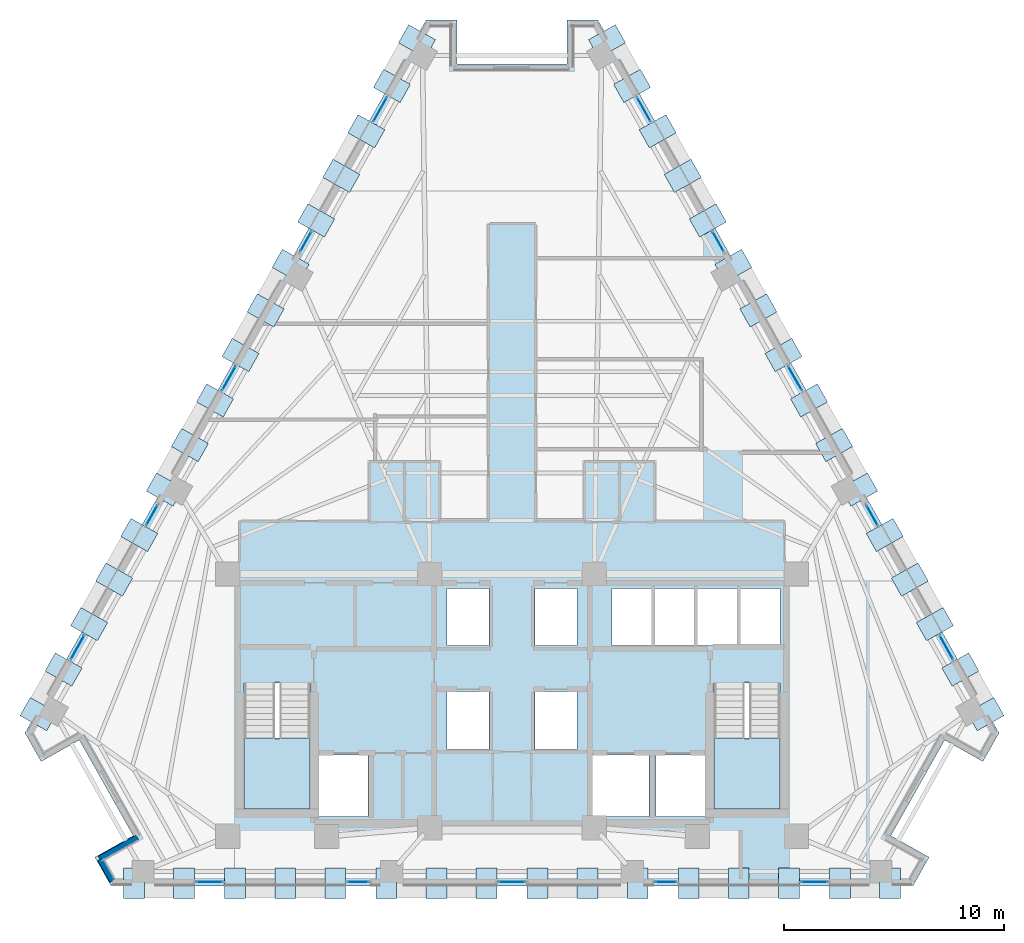
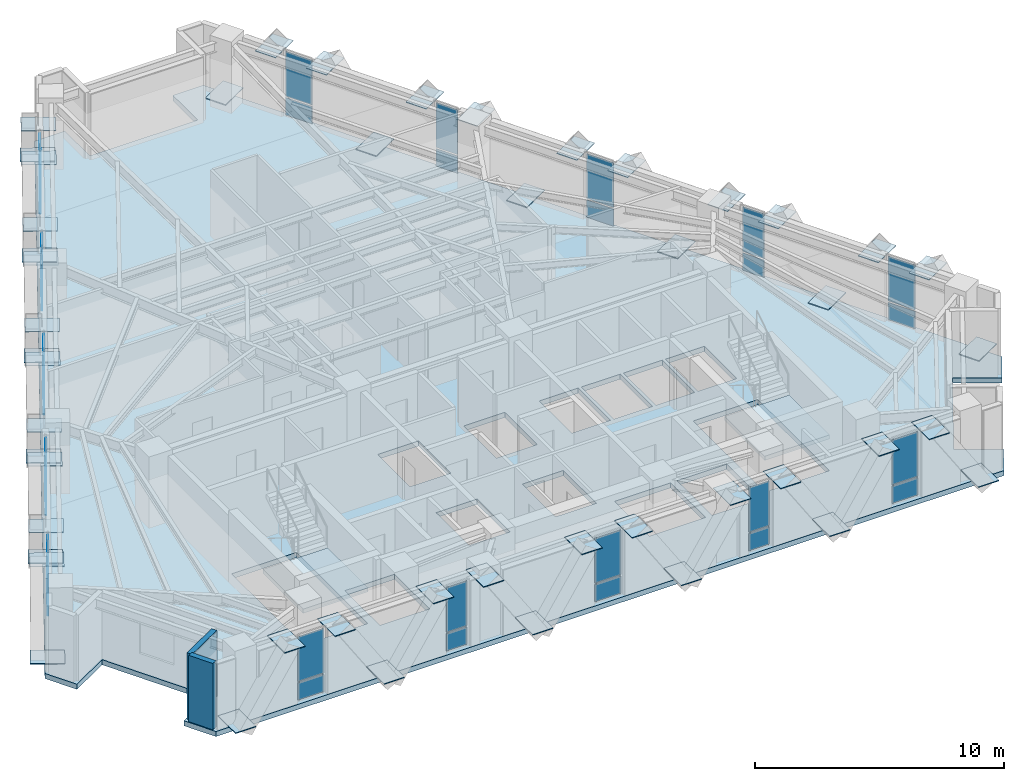
# One storey, part 6 of 14: 78 plates, 3 slabs, 2 walls, 17 elements without a shape of their own.
"""IFC4 building model written with IfcOpenShell, lengths in metres."""

from ifc_helpers import new_model, si_unit, direction, frame, frame_2d, origin, origin_2d, place, context, subcontext, project, spatial, polyline, rectangle, outline, extrude, material, layer, layer_set, type_object, element, aggregate, save


model = new_model("IFC4")

# Units and contexts
model_context = context("Model", 3, precision=1e-05, world=origin(), true_north=direction((0.0, 1.0)))
body_context = subcontext(model_context, "Body", "Model", "MODEL_VIEW")
ifc_project = project(units=[si_unit("LENGTHUNIT", "METRE"), si_unit("AREAUNIT", "SQUARE_METRE"), si_unit("VOLUMEUNIT", "CUBIC_METRE"), si_unit("PLANEANGLEUNIT", "RADIAN"), si_unit("MASSUNIT", "GRAM", prefix="KILO")], contexts=[model_context])

# Site, building, storey
site_placement = place(None, origin())
site = spatial("IfcSite", under=ifc_project, at=site_placement, CompositionType="ELEMENT")
building_placement = place(site_placement, origin())
building = spatial("IfcBuilding", under=site, at=building_placement, Name="Quenlor Broadcast Tower", CompositionType="ELEMENT")
storey_placement = place(building_placement, frame((0.0, 0.0, 140.5)))
storey = spatial("IfcBuildingStorey", under=building, at=storey_placement, Name="L38", CompositionType="ELEMENT", Elevation=140.5)

# Curtain wall, plates
ifc_material_1 = material(Name="Architectural Terracotta and Low-E Glazing", Category="masonry")
curtain_wall_type = type_object("IfcCurtainWallType", Name="Unitised Terracotta Curtain Wall System Z3", PredefinedType="NOTDEFINED", material=ifc_material_1)
curtain_wall_1_placement = place(storey_placement, origin())
curtain_wall_1 = element("IfcCurtainWall", 1, at=curtain_wall_1_placement, inside=storey, type_object=curtain_wall_type, Name="L38 Curtain Wall CW3 (L38-SA-G1)", PredefinedType="NOTDEFINED")
ifc_material_2 = material(Name="Double Glazed Low-E Solar Glass", Category="glass")
ifc_layer_1 = layer(ifc_material_2, 0.028076171875)
ifc_layer_set_1 = layer_set([ifc_layer_1], Name="CW3 Double Glazed Vision Panel 28")
plate_type_1 = type_object("IfcPlateType", Name="CW3 Double Glazed Vision Panel 28", PredefinedType="CURTAIN_PANEL", material=ifc_layer_set_1)
plate_1_placement = place(storey_placement, frame((13.77587890625, -18.824951171875, 0.06982421875), z_axis=(0.0, 0.0, 1.0), x_axis=(-1.0, 0.0, 0.0)))
plate_1 = element("IfcPlate", 2, at=plate_1_placement, type_object=plate_type_1, Name="CW3 panel 1.1", PredefinedType="CURTAIN_PANEL", context=body_context, shape_type="SweptSolid", body=[
    extrude(rectangle(XDim=1.197998046875, YDim=0.028076171875, at=origin_2d()), origin(), (0.0, 0.0, 1.0), 0.844970703125),
])
plate_2_placement = place(storey_placement, frame((13.77587890625, -18.824951171875, 0.98486328125), z_axis=(0.0, 0.0, 1.0), x_axis=(-1.0, 0.0, 0.0)))
plate_2 = element("IfcPlate", 3, at=plate_2_placement, type_object=plate_type_1, Name="CW3 panel 1.2", PredefinedType="CURTAIN_PANEL", context=body_context, shape_type="SweptSolid", body=[
    extrude(rectangle(XDim=1.197998046875, YDim=0.028076171875, at=origin_2d()), origin(), (0.0, 0.0, 1.0), 2.195068359375),
])
aggregate(curtain_wall_1, [plate_1, plate_2])

curtain_wall_2_placement = place(storey_placement, origin())
curtain_wall_2 = element("IfcCurtainWall", 4, at=curtain_wall_2_placement, inside=storey, type_object=curtain_wall_type, Name="L38 Curtain Wall CW3 (L38-SA-G2)", PredefinedType="NOTDEFINED")
plate_3_placement = place(storey_placement, frame((7.011474609375, -18.824951171875, 0.06982421875), z_axis=(0.0, 0.0, 1.0), x_axis=(-1.0, 0.0, 0.0)))
plate_3 = element("IfcPlate", 5, at=plate_3_placement, type_object=plate_type_1, Name="CW3 panel 1.1", PredefinedType="CURTAIN_PANEL", context=body_context, shape_type="SweptSolid", body=[
    extrude(rectangle(XDim=0.950927734375, YDim=0.028076171875, at=origin_2d()), origin(), (0.0, 0.0, 1.0), 0.844970703125),
])
plate_4_placement = place(storey_placement, frame((7.011474609375, -18.824951171875, 0.98486328125), z_axis=(0.0, 0.0, 1.0), x_axis=(-1.0, 0.0, 0.0)))
plate_4 = element("IfcPlate", 6, at=plate_4_placement, type_object=plate_type_1, Name="CW3 panel 1.2", PredefinedType="CURTAIN_PANEL", context=body_context, shape_type="SweptSolid", body=[
    extrude(rectangle(XDim=0.950927734375, YDim=0.028076171875, at=origin_2d()), origin(), (0.0, 0.0, 1.0), 2.195068359375),
])
aggregate(curtain_wall_2, [plate_3, plate_4])

curtain_wall_3_placement = place(storey_placement, origin())
curtain_wall_3 = element("IfcCurtainWall", 7, at=curtain_wall_3_placement, inside=storey, type_object=curtain_wall_type, Name="L38 Curtain Wall CW3 (L38-SC-G1)", PredefinedType="NOTDEFINED")
plate_5_placement = place(storey_placement, frame((-7.011474609375, -18.824951171875, 0.06982421875), z_axis=(0.0, 0.0, 1.0), x_axis=(-1.0, 0.0, 0.0)))
plate_5 = element("IfcPlate", 8, at=plate_5_placement, type_object=plate_type_1, Name="CW3 panel 1.1", PredefinedType="CURTAIN_PANEL", context=body_context, shape_type="SweptSolid", body=[
    extrude(rectangle(XDim=0.950927734375, YDim=0.028076171875, at=origin_2d()), origin(), (0.0, 0.0, 1.0), 0.844970703125),
])
plate_6_placement = place(storey_placement, frame((-7.011474609375, -18.824951171875, 0.98486328125), z_axis=(0.0, 0.0, 1.0), x_axis=(-1.0, 0.0, 0.0)))
plate_6 = element("IfcPlate", 9, at=plate_6_placement, type_object=plate_type_1, Name="CW3 panel 1.2", PredefinedType="CURTAIN_PANEL", context=body_context, shape_type="SweptSolid", body=[
    extrude(rectangle(XDim=0.950927734375, YDim=0.028076171875, at=origin_2d()), origin(), (0.0, 0.0, 1.0), 2.195068359375),
])
aggregate(curtain_wall_3, [plate_5, plate_6])

curtain_wall_4_placement = place(storey_placement, origin())
curtain_wall_4 = element("IfcCurtainWall", 10, at=curtain_wall_4_placement, inside=storey, type_object=curtain_wall_type, Name="L38 Curtain Wall CW3 (L38-SC-G2)", PredefinedType="NOTDEFINED")
plate_7_placement = place(storey_placement, frame((-13.77587890625, -18.824951171875, 0.06982421875), z_axis=(0.0, 0.0, 1.0), x_axis=(-1.0, 0.0, 0.0)))
plate_7 = element("IfcPlate", 11, at=plate_7_placement, type_object=plate_type_1, Name="CW3 panel 1.1", PredefinedType="CURTAIN_PANEL", context=body_context, shape_type="SweptSolid", body=[
    extrude(rectangle(XDim=1.197998046875, YDim=0.028076171875, at=origin_2d()), origin(), (0.0, 0.0, 1.0), 0.844970703125),
])
plate_8_placement = place(storey_placement, frame((-13.77587890625, -18.824951171875, 0.98486328125), z_axis=(0.0, 0.0, 1.0), x_axis=(-1.0, 0.0, 0.0)))
plate_8 = element("IfcPlate", 12, at=plate_8_placement, type_object=plate_type_1, Name="CW3 panel 1.2", PredefinedType="CURTAIN_PANEL", context=body_context, shape_type="SweptSolid", body=[
    extrude(rectangle(XDim=1.197998046875, YDim=0.028076171875, at=origin_2d()), origin(), (0.0, 0.0, 1.0), 2.195068359375),
])
aggregate(curtain_wall_4, [plate_7, plate_8])

curtain_wall_5_placement = place(storey_placement, origin())
curtain_wall_5 = element("IfcCurtainWall", 13, at=curtain_wall_5_placement, inside=storey, type_object=curtain_wall_type, Name="L38 Curtain Wall CW3 (L38-S-G1)", PredefinedType="NOTDEFINED")
plate_9_placement = place(storey_placement, frame((0.0, -18.824951171875, 0.06982421875), z_axis=(0.0, 0.0, 1.0), x_axis=(-1.0, 0.0, 0.0)))
plate_9 = element("IfcPlate", 14, at=plate_9_placement, type_object=plate_type_1, Name="CW3 panel 1.1", PredefinedType="CURTAIN_PANEL", context=body_context, shape_type="SweptSolid", body=[
    extrude(rectangle(XDim=1.197998046875, YDim=0.028076171875, at=origin_2d()), origin(), (0.0, 0.0, 1.0), 0.844970703125),
])
plate_10_placement = place(storey_placement, frame((0.0, -18.824951171875, 0.98486328125), z_axis=(0.0, 0.0, 1.0), x_axis=(-1.0, 0.0, 0.0)))
plate_10 = element("IfcPlate", 15, at=plate_10_placement, type_object=plate_type_1, Name="CW3 panel 1.2", PredefinedType="CURTAIN_PANEL", context=body_context, shape_type="SweptSolid", body=[
    extrude(rectangle(XDim=1.197998046875, YDim=0.028076171875, at=origin_2d()), origin(), (0.0, 0.0, 1.0), 2.195068359375),
])
aggregate(curtain_wall_5, [plate_9, plate_10])

curtain_wall_6_placement = place(storey_placement, origin())
curtain_wall_6 = element("IfcCurtainWall", 16, at=curtain_wall_6_placement, inside=storey, type_object=curtain_wall_type, Name="L38 Curtain Wall CW3 (L38-NEA-G1)", PredefinedType="NOTDEFINED")
plate_11_placement = place(storey_placement, frame((6.00146484375, 16.3740234375, 0.06982421875), z_axis=(0.0, 0.0, 1.0), x_axis=(0.490230492916, -0.871592831439, 0.0)))
plate_11 = element("IfcPlate", 17, at=plate_11_placement, type_object=plate_type_1, Name="CW3 panel 1.1", PredefinedType="CURTAIN_PANEL", context=body_context, shape_type="SweptSolid", body=[
    extrude(rectangle(XDim=1.249755859375, YDim=0.028076171875, at=origin_2d()), origin(), (0.0, 0.0, 1.0), 0.844970703125),
])
plate_12_placement = place(storey_placement, frame((6.00146484375, 16.3740234375, 0.98486328125), z_axis=(0.0, 0.0, 1.0), x_axis=(0.490230492916, -0.871592831439, 0.0)))
plate_12 = element("IfcPlate", 18, at=plate_12_placement, type_object=plate_type_1, Name="CW3 panel 1.2", PredefinedType="CURTAIN_PANEL", context=body_context, shape_type="SweptSolid", body=[
    extrude(rectangle(XDim=1.249755859375, YDim=0.028076171875, at=origin_2d()), origin(), (0.0, 0.0, 1.0), 2.195068359375),
])
aggregate(curtain_wall_6, [plate_11, plate_12])

curtain_wall_7_placement = place(storey_placement, origin())
curtain_wall_7 = element("IfcCurtainWall", 19, at=curtain_wall_7_placement, inside=storey, type_object=curtain_wall_type, Name="L38 Curtain Wall CW3 (L38-NEA-G2)", PredefinedType="NOTDEFINED")
plate_13_placement = place(storey_placement, frame((9.391357421875, 10.34716796875, 0.06982421875), z_axis=(0.0, 0.0, 1.0), x_axis=(0.490215950125, -0.871601010924, 0.0)))
plate_13 = element("IfcPlate", 20, at=plate_13_placement, type_object=plate_type_1, Name="CW3 panel 1.1", PredefinedType="CURTAIN_PANEL", context=body_context, shape_type="SweptSolid", body=[
    extrude(rectangle(XDim=1.01318359375, YDim=0.028076171875, at=origin_2d()), origin(), (0.0, 0.0, 1.0), 0.844970703125),
])
plate_14_placement = place(storey_placement, frame((9.391357421875, 10.34716796875, 0.98486328125), z_axis=(0.0, 0.0, 1.0), x_axis=(0.490215950125, -0.871601010924, 0.0)))
plate_14 = element("IfcPlate", 21, at=plate_14_placement, type_object=plate_type_1, Name="CW3 panel 1.2", PredefinedType="CURTAIN_PANEL", context=body_context, shape_type="SweptSolid", body=[
    extrude(rectangle(XDim=1.01318359375, YDim=0.028076171875, at=origin_2d()), origin(), (0.0, 0.0, 1.0), 2.195068359375),
])
aggregate(curtain_wall_7, [plate_13, plate_14])

curtain_wall_8_placement = place(storey_placement, origin())
curtain_wall_8 = element("IfcCurtainWall", 22, at=curtain_wall_8_placement, inside=storey, type_object=curtain_wall_type, Name="L38 Curtain Wall CW3 (L38-NEC-G1)", PredefinedType="NOTDEFINED")
plate_15_placement = place(storey_placement, frame((16.403564453125, -2.118896484375, 0.06982421875), z_axis=(0.0, 0.0, 1.0), x_axis=(0.490253004657, -0.871580169247, 0.0)))
plate_15 = element("IfcPlate", 23, at=plate_15_placement, type_object=plate_type_1, Name="CW3 panel 1.1", PredefinedType="CURTAIN_PANEL", context=body_context, shape_type="SweptSolid", body=[
    extrude(rectangle(XDim=1.01318359375, YDim=0.028076171875, at=origin_2d()), origin(), (0.0, 0.0, 1.0), 0.844970703125),
])
plate_16_placement = place(storey_placement, frame((16.403564453125, -2.118896484375, 0.98486328125), z_axis=(0.0, 0.0, 1.0), x_axis=(0.490253004657, -0.871580169247, 0.0)))
plate_16 = element("IfcPlate", 24, at=plate_16_placement, type_object=plate_type_1, Name="CW3 panel 1.2", PredefinedType="CURTAIN_PANEL", context=body_context, shape_type="SweptSolid", body=[
    extrude(rectangle(XDim=1.01318359375, YDim=0.028076171875, at=origin_2d()), origin(), (0.0, 0.0, 1.0), 2.195068359375),
])
aggregate(curtain_wall_8, [plate_15, plate_16])

curtain_wall_9_placement = place(storey_placement, origin())
curtain_wall_9 = element("IfcCurtainWall", 25, at=curtain_wall_9_placement, inside=storey, type_object=curtain_wall_type, Name="L38 Curtain Wall CW3 (L38-NEC-G2)", PredefinedType="NOTDEFINED")
plate_17_placement = place(storey_placement, frame((19.793701171875, -8.145751953125, 0.06982421875), z_axis=(0.0, 0.0, 1.0), x_axis=(0.490261239636, -0.871575537123, 0.0)))
plate_17 = element("IfcPlate", 26, at=plate_17_placement, type_object=plate_type_1, Name="CW3 panel 1.1", PredefinedType="CURTAIN_PANEL", context=body_context, shape_type="SweptSolid", body=[
    extrude(rectangle(XDim=1.249755859375, YDim=0.028076171875, at=origin_2d()), origin(), (0.0, 0.0, 1.0), 0.844970703125),
])
plate_18_placement = place(storey_placement, frame((19.793701171875, -8.145751953125, 0.98486328125), z_axis=(0.0, 0.0, 1.0), x_axis=(0.490261239636, -0.871575537123, 0.0)))
plate_18 = element("IfcPlate", 27, at=plate_18_placement, type_object=plate_type_1, Name="CW3 panel 1.2", PredefinedType="CURTAIN_PANEL", context=body_context, shape_type="SweptSolid", body=[
    extrude(rectangle(XDim=1.249755859375, YDim=0.028076171875, at=origin_2d()), origin(), (0.0, 0.0, 1.0), 2.195068359375),
])
aggregate(curtain_wall_9, [plate_17, plate_18])

curtain_wall_10_placement = place(storey_placement, origin())
curtain_wall_10 = element("IfcCurtainWall", 28, at=curtain_wall_10_placement, inside=storey, type_object=curtain_wall_type, Name="L38 Curtain Wall CW3 (L38-NE-G1)", PredefinedType="NOTDEFINED")
plate_19_placement = place(storey_placement, frame((12.8974609375, 4.1142578125, 0.06982421875), z_axis=(0.0, 0.0, 1.0), x_axis=(0.490285152484, -0.871562085714, 0.0)))
plate_19 = element("IfcPlate", 29, at=plate_19_placement, type_object=plate_type_1, Name="CW3 panel 1.1", PredefinedType="CURTAIN_PANEL", context=body_context, shape_type="SweptSolid", body=[
    extrude(rectangle(XDim=1.249755859375, YDim=0.028076171875, at=origin_2d()), origin(), (0.0, 0.0, 1.0), 0.844970703125),
])
plate_20_placement = place(storey_placement, frame((12.8974609375, 4.1142578125, 0.98486328125), z_axis=(0.0, 0.0, 1.0), x_axis=(0.490285152484, -0.871562085714, 0.0)))
plate_20 = element("IfcPlate", 30, at=plate_20_placement, type_object=plate_type_1, Name="CW3 panel 1.2", PredefinedType="CURTAIN_PANEL", context=body_context, shape_type="SweptSolid", body=[
    extrude(rectangle(XDim=1.249755859375, YDim=0.028076171875, at=origin_2d()), origin(), (0.0, 0.0, 1.0), 2.195068359375),
])
aggregate(curtain_wall_10, [plate_19, plate_20])

curtain_wall_11_placement = place(storey_placement, origin())
curtain_wall_11 = element("IfcCurtainWall", 31, at=curtain_wall_11_placement, inside=storey, type_object=curtain_wall_type, Name="L38 Curtain Wall CW3 (L38-NWA-G1)", PredefinedType="NOTDEFINED")
plate_21_placement = place(storey_placement, frame((-19.793701171875, -8.145751953125, 0.06982421875), z_axis=(0.0, 0.0, 1.0), x_axis=(0.490261239636, 0.871575537123, 0.0)))
plate_21 = element("IfcPlate", 32, at=plate_21_placement, type_object=plate_type_1, Name="CW3 panel 1.1", PredefinedType="CURTAIN_PANEL", context=body_context, shape_type="SweptSolid", body=[
    extrude(rectangle(XDim=1.249755859375, YDim=0.028076171875, at=origin_2d()), origin(), (0.0, 0.0, 1.0), 0.844970703125),
])
plate_22_placement = place(storey_placement, frame((-19.793701171875, -8.145751953125, 0.98486328125), z_axis=(0.0, 0.0, 1.0), x_axis=(0.490261239636, 0.871575537123, 0.0)))
plate_22 = element("IfcPlate", 33, at=plate_22_placement, type_object=plate_type_1, Name="CW3 panel 1.2", PredefinedType="CURTAIN_PANEL", context=body_context, shape_type="SweptSolid", body=[
    extrude(rectangle(XDim=1.249755859375, YDim=0.028076171875, at=origin_2d()), origin(), (0.0, 0.0, 1.0), 2.195068359375),
])
aggregate(curtain_wall_11, [plate_21, plate_22])

curtain_wall_12_placement = place(storey_placement, origin())
curtain_wall_12 = element("IfcCurtainWall", 34, at=curtain_wall_12_placement, inside=storey, type_object=curtain_wall_type, Name="L38 Curtain Wall CW3 (L38-NWA-G2)", PredefinedType="NOTDEFINED")
plate_23_placement = place(storey_placement, frame((-16.403564453125, -2.118896484375, 0.06982421875), z_axis=(0.0, 0.0, 1.0), x_axis=(0.490253004657, 0.871580169247, 0.0)))
plate_23 = element("IfcPlate", 35, at=plate_23_placement, type_object=plate_type_1, Name="CW3 panel 1.1", PredefinedType="CURTAIN_PANEL", context=body_context, shape_type="SweptSolid", body=[
    extrude(rectangle(XDim=1.01318359375, YDim=0.028076171875, at=origin_2d()), origin(), (0.0, 0.0, 1.0), 0.844970703125),
])
plate_24_placement = place(storey_placement, frame((-16.403564453125, -2.118896484375, 0.98486328125), z_axis=(0.0, 0.0, 1.0), x_axis=(0.490253004657, 0.871580169247, 0.0)))
plate_24 = element("IfcPlate", 36, at=plate_24_placement, type_object=plate_type_1, Name="CW3 panel 1.2", PredefinedType="CURTAIN_PANEL", context=body_context, shape_type="SweptSolid", body=[
    extrude(rectangle(XDim=1.01318359375, YDim=0.028076171875, at=origin_2d()), origin(), (0.0, 0.0, 1.0), 2.195068359375),
])
aggregate(curtain_wall_12, [plate_23, plate_24])

curtain_wall_13_placement = place(storey_placement, origin())
curtain_wall_13 = element("IfcCurtainWall", 37, at=curtain_wall_13_placement, inside=storey, type_object=curtain_wall_type, Name="L38 Curtain Wall CW3 (L38-NWC-G1)", PredefinedType="NOTDEFINED")
plate_25_placement = place(storey_placement, frame((-9.391357421875, 10.34716796875, 0.06982421875), z_axis=(0.0, 0.0, 1.0), x_axis=(0.490215950125, 0.871601010924, 0.0)))
plate_25 = element("IfcPlate", 38, at=plate_25_placement, type_object=plate_type_1, Name="CW3 panel 1.1", PredefinedType="CURTAIN_PANEL", context=body_context, shape_type="SweptSolid", body=[
    extrude(rectangle(XDim=1.01318359375, YDim=0.028076171875, at=origin_2d()), origin(), (0.0, 0.0, 1.0), 0.844970703125),
])
plate_26_placement = place(storey_placement, frame((-9.391357421875, 10.34716796875, 0.98486328125), z_axis=(0.0, 0.0, 1.0), x_axis=(0.490215950125, 0.871601010924, 0.0)))
plate_26 = element("IfcPlate", 39, at=plate_26_placement, type_object=plate_type_1, Name="CW3 panel 1.2", PredefinedType="CURTAIN_PANEL", context=body_context, shape_type="SweptSolid", body=[
    extrude(rectangle(XDim=1.01318359375, YDim=0.028076171875, at=origin_2d()), origin(), (0.0, 0.0, 1.0), 2.195068359375),
])
aggregate(curtain_wall_13, [plate_25, plate_26])

curtain_wall_14_placement = place(storey_placement, origin())
curtain_wall_14 = element("IfcCurtainWall", 40, at=curtain_wall_14_placement, inside=storey, type_object=curtain_wall_type, Name="L38 Curtain Wall CW3 (L38-NWC-G2)", PredefinedType="NOTDEFINED")
plate_27_placement = place(storey_placement, frame((-6.00146484375, 16.3740234375, 0.06982421875), z_axis=(0.0, 0.0, 1.0), x_axis=(0.490230492916, 0.871592831439, 0.0)))
plate_27 = element("IfcPlate", 41, at=plate_27_placement, type_object=plate_type_1, Name="CW3 panel 1.1", PredefinedType="CURTAIN_PANEL", context=body_context, shape_type="SweptSolid", body=[
    extrude(rectangle(XDim=1.249755859375, YDim=0.028076171875, at=origin_2d()), origin(), (0.0, 0.0, 1.0), 0.844970703125),
])
plate_28_placement = place(storey_placement, frame((-6.00146484375, 16.3740234375, 0.98486328125), z_axis=(0.0, 0.0, 1.0), x_axis=(0.490230492916, 0.871592831439, 0.0)))
plate_28 = element("IfcPlate", 42, at=plate_28_placement, type_object=plate_type_1, Name="CW3 panel 1.2", PredefinedType="CURTAIN_PANEL", context=body_context, shape_type="SweptSolid", body=[
    extrude(rectangle(XDim=1.249755859375, YDim=0.028076171875, at=origin_2d()), origin(), (0.0, 0.0, 1.0), 2.195068359375),
])
aggregate(curtain_wall_14, [plate_27, plate_28])

curtain_wall_15_placement = place(storey_placement, origin())
curtain_wall_15 = element("IfcCurtainWall", 43, at=curtain_wall_15_placement, inside=storey, type_object=curtain_wall_type, Name="L38 Curtain Wall CW3 (L38-NW-G1)", PredefinedType="NOTDEFINED")
plate_29_placement = place(storey_placement, frame((-12.8974609375, 4.1142578125, 0.06982421875), z_axis=(0.0, 0.0, 1.0), x_axis=(0.490285152484, 0.871562085714, 0.0)))
plate_29 = element("IfcPlate", 44, at=plate_29_placement, type_object=plate_type_1, Name="CW3 panel 1.1", PredefinedType="CURTAIN_PANEL", context=body_context, shape_type="SweptSolid", body=[
    extrude(rectangle(XDim=1.249755859375, YDim=0.028076171875, at=origin_2d()), origin(), (0.0, 0.0, 1.0), 0.844970703125),
])
plate_30_placement = place(storey_placement, frame((-12.8974609375, 4.1142578125, 0.98486328125), z_axis=(0.0, 0.0, 1.0), x_axis=(0.490285152484, 0.871562085714, 0.0)))
plate_30 = element("IfcPlate", 45, at=plate_30_placement, type_object=plate_type_1, Name="CW3 panel 1.2", PredefinedType="CURTAIN_PANEL", context=body_context, shape_type="SweptSolid", body=[
    extrude(rectangle(XDim=1.249755859375, YDim=0.028076171875, at=origin_2d()), origin(), (0.0, 0.0, 1.0), 2.195068359375),
])
aggregate(curtain_wall_15, [plate_29, plate_30])

# Stair, slab
ifc_material_3 = material(Name="Precast concrete C40/50", Category="concrete")
stair_type = type_object("IfcStairType", Name="Precast Concrete C40/50 Dogleg Stair H350", PredefinedType="HALF_TURN_STAIR", material=ifc_material_3)
stair_1_placement = place(storey_placement, origin())
stair_1 = element("IfcStair", 46, at=stair_1_placement, inside=storey, type_object=stair_type, Name="L38 West Core Fire-Isolated Exit Stair ST-1", PredefinedType="HALF_TURN_STAIR")
ifc_material_4 = material(Name="Precast concrete C40/50", Category="concrete")
ifc_layer_2 = layer(ifc_material_4, 0.199951171875)
ifc_layer_set_2 = layer_set([ifc_layer_2], Name="Precast Concrete C40/50 Stair Landing Slab 200")
slab_type_1 = type_object("IfcSlabType", Name="Precast Concrete C40/50 Stair Landing Slab 200", PredefinedType="LANDING", material=ifc_layer_set_2)
slab_1_placement = place(storey_placement, frame((0.0, 0.0, 1.550048828125)))
slab_1 = element("IfcSlab", 47, at=slab_1_placement, type_object=slab_type_1, Name="ST-1 landing 1", PredefinedType="LANDING", context=body_context, shape_type="SweptSolid", body=[
    extrude(outline(polyline([(-12.199951171875, -12.27001953125), (-12.199951171875, -15.5), (-9.199951171875, -15.5), (-9.199951171875, -12.27001953125), (-12.199951171875, -12.27001953125)])), origin(), (0.0, 0.0, 1.0), 0.199951171875),
])
aggregate(stair_1, [slab_1])

stair_2_placement = place(storey_placement, origin())
stair_2 = element("IfcStair", 48, at=stair_2_placement, inside=storey, type_object=stair_type, Name="L38 East Core Fire-Isolated Exit Stair ST-2", PredefinedType="HALF_TURN_STAIR")
slab_2_placement = place(storey_placement, frame((0.0, 0.0, 1.550048828125)))
slab_2 = element("IfcSlab", 49, at=slab_2_placement, type_object=slab_type_1, Name="ST-2 landing 1", PredefinedType="LANDING", context=body_context, shape_type="SweptSolid", body=[
    extrude(outline(polyline([(9.199951171875, -12.27001953125), (9.199951171875, -15.5), (12.199951171875, -15.5), (12.199951171875, -12.27001953125), (9.199951171875, -12.27001953125)])), origin(), (0.0, 0.0, 1.0), 0.199951171875),
])
aggregate(stair_2, [slab_2])

# Slab
ifc_material_5 = material(Name="Concrete C40/50", Category="concrete")
ifc_layer_3 = layer(ifc_material_5, 0.25)
ifc_layer_set_3 = layer_set([ifc_layer_3], Name="Tower Composite Concrete C40/50 Slab 250")
slab_type_2 = type_object("IfcSlabType", Name="Tower Composite Concrete C40/50 Slab 250", PredefinedType="FLOOR", material=ifc_layer_set_3)
slab_3_placement = place(storey_placement, frame((0.0, 0.0, -0.25)))
element("IfcSlab", 50, at=slab_3_placement, inside=storey, type_object=slab_type_2, Name="L38 Structural Floor Slab", PredefinedType="FLOOR", context=body_context, shape_type="SweptSolid", body=[
    extrude(outline(polyline([(18.27001953125, -19.0), (19.001708984375, -17.698974609375), (17.2587890625, -16.718505859375), (19.7099609375, -12.360595703125), (21.453125, -13.341064453125), (22.18505859375, -12.0400390625), (3.9150390625, 20.43994140625), (2.5, 20.43994140625), (2.5, 18.43994140625), (-2.5, 18.43994140625), (-2.5, 20.43994140625), (-3.9150390625, 20.43994140625), (-22.18505859375, -12.0400390625), (-21.453125, -13.341064453125), (-19.7099609375, -12.360595703125), (-17.2587890625, -16.718505859375), (-19.001708984375, -17.698974609375), (-18.27001953125, -19.0), (18.27001953125, -19.0)]), holes=[polyline([(-12.199951171875, -9.758056640625), (-12.199951171875, -15.5), (-9.199951171875, -15.5), (-9.199951171875, -9.758056640625), (-12.199951171875, -9.758056640625)]), polyline([(9.199951171875, -9.758056640625), (9.199951171875, -15.5), (12.199951171875, -15.5), (12.199951171875, -9.758056640625), (9.199951171875, -9.758056640625)]), polyline([(-2.949951171875, -8.050048828125), (-1.050048828125, -8.050048828125), (-1.050048828125, -5.449951171875), (-2.949951171875, -5.449951171875), (-2.949951171875, -8.050048828125)]), polyline([(1.050048828125, -8.050048828125), (2.949951171875, -8.050048828125), (2.949951171875, -5.449951171875), (1.050048828125, -5.449951171875), (1.050048828125, -8.050048828125)]), polyline([(-2.949951171875, -12.800048828125), (-1.050048828125, -12.800048828125), (-1.050048828125, -10.14990234375), (-2.949951171875, -10.14990234375), (-2.949951171875, -12.800048828125)]), polyline([(1.050048828125, -12.800048828125), (2.949951171875, -12.800048828125), (2.949951171875, -10.14990234375), (1.050048828125, -10.14990234375), (1.050048828125, -12.800048828125)]), polyline([(4.550048828125, -8.050048828125), (6.35009765625, -8.050048828125), (6.35009765625, -5.449951171875), (4.550048828125, -5.449951171875), (4.550048828125, -8.050048828125)]), polyline([(6.5, -8.050048828125), (8.300048828125, -8.050048828125), (8.300048828125, -5.449951171875), (6.5, -5.449951171875), (6.5, -8.050048828125)]), polyline([(8.449951171875, -8.050048828125), (10.25, -8.050048828125), (10.25, -5.449951171875), (8.449951171875, -5.449951171875), (8.449951171875, -8.050048828125)]), polyline([(10.39990234375, -8.050048828125), (12.199951171875, -8.050048828125), (12.199951171875, -5.449951171875), (10.39990234375, -5.449951171875), (10.39990234375, -8.050048828125)]), polyline([(-8.85009765625, -15.85009765625), (-6.550048828125, -15.85009765625), (-6.550048828125, -13.050048828125), (-8.85009765625, -13.050048828125), (-8.85009765625, -15.85009765625)]), polyline([(6.550048828125, -15.85009765625), (8.85009765625, -15.85009765625), (8.85009765625, -13.050048828125), (6.550048828125, -13.050048828125), (6.550048828125, -15.85009765625)]), polyline([(3.64990234375, -15.85009765625), (6.25, -15.85009765625), (6.25, -13.050048828125), (3.64990234375, -13.050048828125), (3.64990234375, -15.85009765625)])]), origin(), (0.0, 0.0, 1.0), 0.25),
])

# Plates
ifc_material_6 = material(Name="Steel S355", Category="steel")
ifc_layer_4 = layer(ifc_material_6, 0.035888671875)
ifc_layer_set_4 = layer_set([ifc_layer_4], Name="Transfer Truss Steel S355 Gusset Node Plate 1400x950x36")
plate_type_2 = type_object("IfcPlateType", Name="Transfer Truss Steel S355 Gusset Node Plate 1400x950x36", PredefinedType="SHEET", material=ifc_layer_set_4)
for number, where, z_axis, x_axis, name in (
    (51, (17.219970703125, -18.885009765625, 0.0419921875), (0.0, 0.0, 1.0), (0.0, -1.0, 0.0), "L38 Lattice Tie Gusset Node S-B0"),
    (52, (14.937744140625, -18.885009765625, 3.18212890625), (0.0, 0.0, 1.0), (0.0, -1.0, 0.0), "L38 Lattice Tie Gusset Node S-T1"),
    (53, (10.33203125, -18.885009765625, 0.0419921875), (0.0, 0.0, 1.0), (0.0, -1.0, 0.0), "L38 Lattice Tie Gusset Node S-B3"),
    (54, (12.6142578125, -18.885009765625, 3.18212890625), (0.0, 0.0, 1.0), (0.0, -1.0, 0.0), "L38 Lattice Tie Gusset Node S-T2"),
    (55, (8.0498046875, -18.885009765625, 3.18212890625), (0.0, 0.0, 1.0), (0.0, -1.0, 0.0), "L38 Lattice Tie Gusset Node S-T4"),
    (56, (3.444091796875, -18.885009765625, 0.0419921875), (0.0, 0.0, 1.0), (0.0, -1.0, 0.0), "L38 Lattice Tie Gusset Node S-B6"),
    (57, (5.726318359375, -18.885009765625, 3.18212890625), (0.0, 0.0, 1.0), (0.0, -1.0, 0.0), "L38 Lattice Tie Gusset Node S-T5"),
    (58, (1.161865234375, -18.885009765625, 3.18212890625), (0.0, 0.0, 1.0), (0.0, -1.0, 0.0), "L38 Lattice Tie Gusset Node S-T7"),
    (59, (-3.444091796875, -18.885009765625, 0.0419921875), (0.0, 0.0, 1.0), (0.0, -1.0, 0.0), "L38 Lattice Tie Gusset Node S-B9"),
    (60, (-1.161865234375, -18.885009765625, 3.18212890625), (0.0, 0.0, 1.0), (0.0, -1.0, 0.0), "L38 Lattice Tie Gusset Node S-T8"),
    (61, (-5.726318359375, -18.885009765625, 3.18212890625), (0.0, 0.0, 1.0), (0.0, -1.0, 0.0), "L38 Lattice Tie Gusset Node S-T10"),
    (62, (-10.33203125, -18.885009765625, 0.0419921875), (0.0, 0.0, 1.0), (0.0, -1.0, 0.0), "L38 Lattice Tie Gusset Node S-B12"),
    (63, (-8.0498046875, -18.885009765625, 3.18212890625), (0.0, 0.0, 1.0), (0.0, -1.0, 0.0), "L38 Lattice Tie Gusset Node S-T11"),
    (64, (-12.6142578125, -18.885009765625, 3.18212890625), (0.0, 0.0, 1.0), (0.0, -1.0, 0.0), "L38 Lattice Tie Gusset Node S-T13"),
    (65, (-17.219970703125, -18.885009765625, 0.0419921875), (0.0, 0.0, 1.0), (0.0, -1.0, 0.0), "L38 Lattice Tie Gusset Node S-B15"),
    (66, (-14.937744140625, -18.885009765625, 3.18212890625), (0.0, 0.0, 1.0), (0.0, -1.0, 0.0), "L38 Lattice Tie Gusset Node S-T14"),
    (67, (4.32958984375, 19.468505859375, 0.0419921875), (0.0, 0.0, 1.0), (0.871556314255, 0.490295412055, 0.0), "L38 Lattice Tie Gusset Node NE-B0"),
    (68, (5.471923828125, 17.4375, 3.18212890625), (0.0, 0.0, 1.0), (0.871556314255, 0.490295412055, 0.0), "L38 Lattice Tie Gusset Node NE-T1"),
    (69, (7.777587890625, 13.33837890625, 0.0419921875), (0.0, 0.0, 1.0), (0.871556314255, 0.490295412055, 0.0), "L38 Lattice Tie Gusset Node NE-B3"),
    (70, (6.63525390625, 15.36962890625, 3.18212890625), (0.0, 0.0, 1.0), (0.871556314255, 0.490295412055, 0.0), "L38 Lattice Tie Gusset Node NE-T2"),
    (71, (8.920166015625, 11.3076171875, 3.18212890625), (0.0, 0.0, 1.0), (0.871556314255, 0.490295412055, 0.0), "L38 Lattice Tie Gusset Node NE-T4"),
    (72, (11.2255859375, 7.20849609375, 0.0419921875), (0.0, 0.0, 1.0), (0.871556314255, 0.490295412055, 0.0), "L38 Lattice Tie Gusset Node NE-B6"),
    (73, (10.083251953125, 9.239501953125, 3.18212890625), (0.0, 0.0, 1.0), (0.871556314255, 0.490295412055, 0.0), "L38 Lattice Tie Gusset Node NE-T5"),
    (74, (12.3681640625, 5.177490234375, 3.18212890625), (0.0, 0.0, 1.0), (0.871556314255, 0.490295412055, 0.0), "L38 Lattice Tie Gusset Node NE-T7"),
    (75, (14.673828125, 1.07861328125, 0.0419921875), (0.0, 0.0, 1.0), (0.871556314255, 0.490295412055, 0.0), "L38 Lattice Tie Gusset Node NE-B9"),
    (76, (13.531494140625, 3.109619140625, 3.18212890625), (0.0, 0.0, 1.0), (0.871556314255, 0.490295412055, 0.0), "L38 Lattice Tie Gusset Node NE-T8"),
    (77, (15.81640625, -0.952392578125, 3.18212890625), (0.0, 0.0, 1.0), (0.871556314255, 0.490295412055, 0.0), "L38 Lattice Tie Gusset Node NE-T10"),
    (78, (18.121826171875, -5.05126953125, 0.0419921875), (0.0, 0.0, 1.0), (0.871556314255, 0.490295412055, 0.0), "L38 Lattice Tie Gusset Node NE-B12"),
    (79, (16.9794921875, -3.020263671875, 3.18212890625), (0.0, 0.0, 1.0), (0.871556314255, 0.490295412055, 0.0), "L38 Lattice Tie Gusset Node NE-T11"),
    (80, (19.264404296875, -7.082275390625, 3.18212890625), (0.0, 0.0, 1.0), (0.871556314255, 0.490295412055, 0.0), "L38 Lattice Tie Gusset Node NE-T13"),
    (81, (21.570068359375, -11.18115234375, 0.0419921875), (0.0, 0.0, 1.0), (0.871556314255, 0.490295412055, 0.0), "L38 Lattice Tie Gusset Node NE-B15"),
    (82, (20.427490234375, -9.150146484375, 3.18212890625), (0.0, 0.0, 1.0), (0.871556314255, 0.490295412055, 0.0), "L38 Lattice Tie Gusset Node NE-T14"),
    (83, (-21.570068359375, -11.18115234375, 0.0419921875), (0.0, 0.0, 1.0), (-0.871556314255, 0.490295412055, 0.0), "L38 Lattice Tie Gusset Node NW-B0"),
    (84, (-20.427490234375, -9.150146484375, 3.18212890625), (0.0, 0.0, 1.0), (-0.871556314255, 0.490295412055, 0.0), "L38 Lattice Tie Gusset Node NW-T1"),
    (85, (-18.121826171875, -5.05126953125, 0.0419921875), (0.0, 0.0, 1.0), (-0.871556314255, 0.490295412055, 0.0), "L38 Lattice Tie Gusset Node NW-B3"),
    (86, (-19.264404296875, -7.082275390625, 3.18212890625), (0.0, 0.0, 1.0), (-0.871556314255, 0.490295412055, 0.0), "L38 Lattice Tie Gusset Node NW-T2"),
    (87, (-16.9794921875, -3.020263671875, 3.18212890625), (0.0, 0.0, 1.0), (-0.871556314255, 0.490295412055, 0.0), "L38 Lattice Tie Gusset Node NW-T4"),
    (88, (-14.673828125, 1.07861328125, 0.0419921875), (0.0, 0.0, 1.0), (-0.871556314255, 0.490295412055, 0.0), "L38 Lattice Tie Gusset Node NW-B6"),
    (89, (-15.81640625, -0.952392578125, 3.18212890625), (0.0, 0.0, 1.0), (-0.871556314255, 0.490295412055, 0.0), "L38 Lattice Tie Gusset Node NW-T5"),
    (90, (-13.531494140625, 3.109619140625, 3.18212890625), (0.0, 0.0, 1.0), (-0.871556314255, 0.490295412055, 0.0), "L38 Lattice Tie Gusset Node NW-T7"),
    (91, (-11.2255859375, 7.20849609375, 0.0419921875), (0.0, 0.0, 1.0), (-0.871556314255, 0.490295412055, 0.0), "L38 Lattice Tie Gusset Node NW-B9"),
    (92, (-12.3681640625, 5.177490234375, 3.18212890625), (0.0, 0.0, 1.0), (-0.871556314255, 0.490295412055, 0.0), "L38 Lattice Tie Gusset Node NW-T8"),
    (93, (-10.083251953125, 9.239501953125, 3.18212890625), (0.0, 0.0, 1.0), (-0.871556314255, 0.490295412055, 0.0), "L38 Lattice Tie Gusset Node NW-T10"),
    (94, (-7.777587890625, 13.33837890625, 0.0419921875), (0.0, 0.0, 1.0), (-0.871556314255, 0.490295412055, 0.0), "L38 Lattice Tie Gusset Node NW-B12"),
    (95, (-8.920166015625, 11.3076171875, 3.18212890625), (0.0, 0.0, 1.0), (-0.871556314255, 0.490295412055, 0.0), "L38 Lattice Tie Gusset Node NW-T11"),
    (96, (-6.63525390625, 15.36962890625, 3.18212890625), (0.0, 0.0, 1.0), (-0.871556314255, 0.490295412055, 0.0), "L38 Lattice Tie Gusset Node NW-T13"),
    (97, (-4.32958984375, 19.468505859375, 0.0419921875), (0.0, 0.0, 1.0), (-0.871556314255, 0.490295412055, 0.0), "L38 Lattice Tie Gusset Node NW-B15"),
    (98, (-5.471923828125, 17.4375, 3.18212890625), (0.0, 0.0, 1.0), (-0.871556314255, 0.490295412055, 0.0), "L38 Lattice Tie Gusset Node NW-T14"),
):
    element("IfcPlate", number, at=place(storey_placement, frame(where, z_axis=z_axis, x_axis=x_axis)), inside=storey, type_object=plate_type_2, Name=name, PredefinedType="SHEET", context=body_context, shape_type="SweptSolid", body=[
        extrude(rectangle(XDim=1.39990234375, YDim=0.949951171875, at=origin_2d()), origin(), (0.0, 0.0, 1.0), 0.035888671875),
    ])

# Walls
ifc_material_7 = material(Name="Precast concrete C40/50", Category="concrete")
ifc_layer_5 = layer(ifc_material_7, 0.239990234375)
ifc_layer_set_5 = layer_set([ifc_layer_5], Name="Terrace Threshold Precast Concrete C40/50 Wall 240")
wall_type = type_object("IfcWallType", Name="Terrace Threshold Precast Concrete C40/50 Wall 240", PredefinedType="STANDARD", material=ifc_layer_set_5)
wall_1_placement = place(storey_placement, frame((-17.07568359375, -16.799072265625, 0.0), z_axis=(0.0, 0.0, 1.0), x_axis=(-0.871565557139, -0.490278981406, 0.0)))
element("IfcWall", 99, at=wall_1_placement, inside=storey, type_object=wall_type, Name="L38 Exterior Wall L38-CNR-15", PredefinedType="STANDARD", context=body_context, shape_type="SweptSolid", body=[
    extrude(rectangle(XDim=1.9599609375, YDim=0.239990234375, at=frame_2d((0.97998046875, 0.0))), origin(), (0.0, 0.0, 1.0), 3.25),
])
wall_2_placement = place(storey_placement, frame((-18.764404296875, -17.794921875, 0.0), z_axis=(0.0, 0.0, 1.0), x_axis=(0.490353621339, -0.871523565969, 0.0)))
element("IfcWall", 100, at=wall_2_placement, inside=storey, type_object=wall_type, Name="L38 Exterior Wall L38-CNR-16", PredefinedType="STANDARD", context=body_context, shape_type="SweptSolid", body=[
    extrude(rectangle(XDim=1.129150390625, YDim=0.239990234375, at=frame_2d((0.564453125, 0.0))), origin(), (0.0, 0.0, 1.0), 3.25),
])

save(model, "model.ifc")
